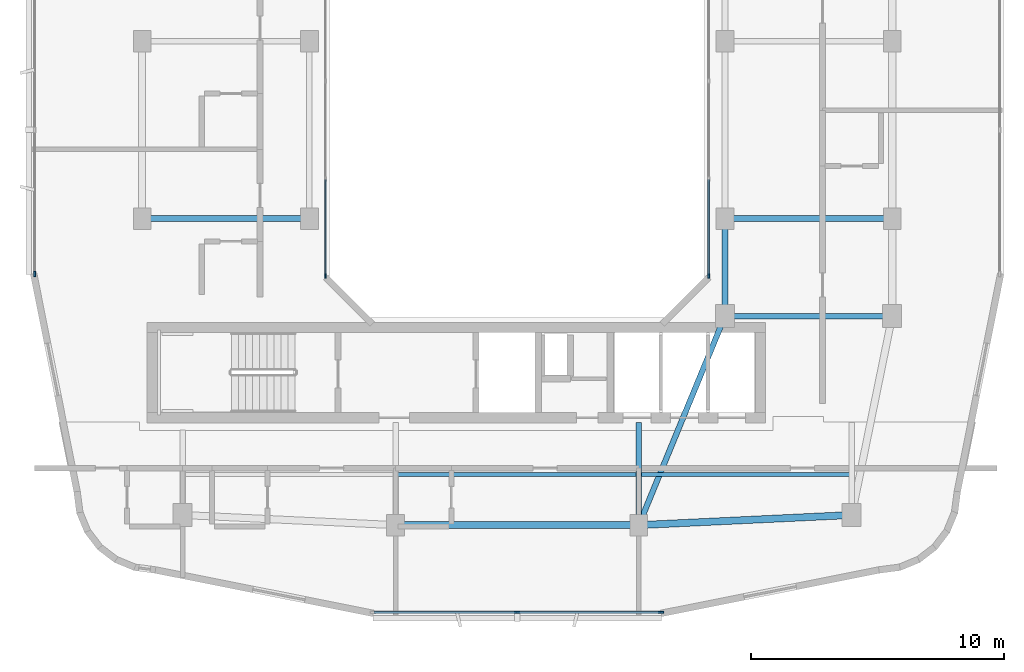
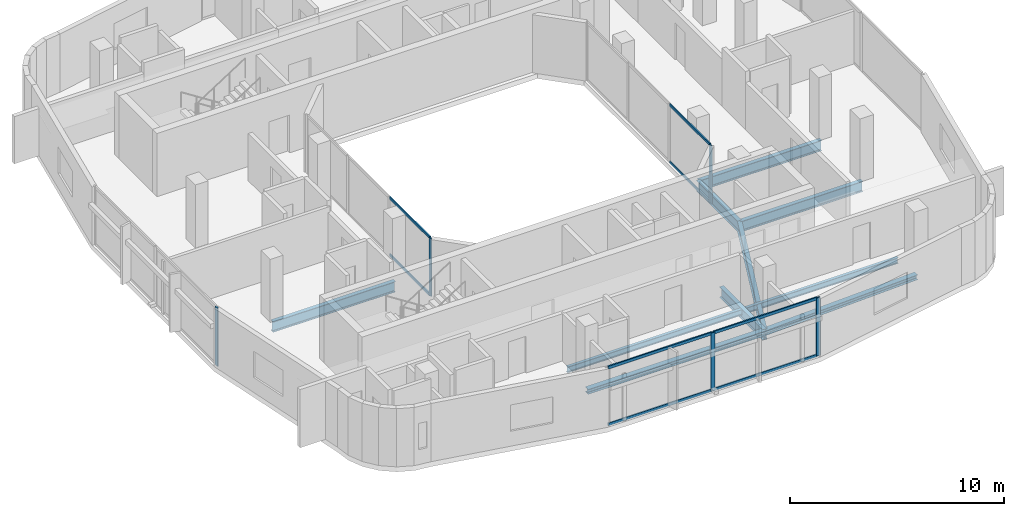
# One storey, part 2 of 14: 13 members, 10 beams, 4 elements without a shape of their own.
"""IFC4 building model written with IfcOpenShell, lengths in metres."""

from ifc_helpers import new_model, si_unit, derived_unit, direction, frame, origin, origin_2d, place, context, subcontext, project, spatial, rectangle, i_section, extrude, material, layer, layer_set, material_profile, profile_set, type_object, element, aggregate, save


model = new_model("IFC4")

# Units and contexts
model_context = context("Model", 3, precision=1e-05, world=origin(), true_north=direction((0.0, 1.0)))
body_context = subcontext(model_context, "Body", "Model", "MODEL_VIEW")
ifc_project = project(units=[si_unit("LENGTHUNIT", "METRE"), si_unit("AREAUNIT", "SQUARE_METRE"), si_unit("VOLUMEUNIT", "CUBIC_METRE"), si_unit("PLANEANGLEUNIT", "RADIAN"), si_unit("MASSUNIT", "GRAM", prefix="KILO"), derived_unit("THERMALTRANSMITTANCEUNIT", [(si_unit("POWERUNIT", "WATT"), 1), (si_unit("LENGTHUNIT", "METRE"), -2), (si_unit("THERMODYNAMICTEMPERATUREUNIT", "KELVIN"), -1)])], contexts=[model_context])

# Site, building, storey
site_placement = place(None, origin())
site = spatial("IfcSite", under=ifc_project, at=site_placement, CompositionType="ELEMENT")
building_placement = place(site_placement, origin())
building = spatial("IfcBuilding", under=site, at=building_placement, Name="Kivonza Crest Hotel", CompositionType="ELEMENT")
storey_placement = place(building_placement, frame((0.0, 0.0, 217.10009765625)))
storey = spatial("IfcBuildingStorey", under=building, at=storey_placement, Name="L59", CompositionType="ELEMENT", Elevation=217.10009765625)

# Beams
ifc_material_1 = material(Name="Steel S355", Category="steel")
ifc_material_profile_1 = material_profile(ifc_material_1, i_section(OverallWidth=0.280029296875, OverallDepth=0.280029296875, WebThickness=0.010498046875, FlangeThickness=0.01806640625, FilletRadius=0.02392578125, at=origin_2d()), Name="HEB 280")
ifc_profile_set_1 = profile_set([ifc_material_profile_1], Name="Steel S355")
beam_type_1 = type_object("IfcBeamType", Name="BM-HEB280", PredefinedType="SPANDREL", material=ifc_profile_set_1)
beam_1_placement = place(storey_placement, frame((16.199951171875, 9.39990234375, -0.420166015625), z_axis=(1.0, 0.0, 0.0), x_axis=(0.0, 1.0, 0.0)))
element("IfcBeam", 1, at=beam_1_placement, inside=storey, type_object=beam_type_1, Name="Tower T1 L59 perimeter spandrel S1-S2", PredefinedType="SPANDREL", context=body_context, shape_type="SweptSolid", body=[
    extrude(i_section(OverallWidth=0.280029296875, OverallDepth=0.280029296875, WebThickness=0.010498046875, FlangeThickness=0.01806640625, FilletRadius=0.02392578125, at=origin_2d()), origin(), (0.0, 0.0, 1.0), 9.60009765625),
])
beam_2_placement = place(storey_placement, frame((25.800048828125, 9.39990234375, -0.420166015625), z_axis=(0.998867283688, 0.047583080799, 0.0), x_axis=(-0.047583080799, 0.998867283688, 0.0)))
element("IfcBeam", 2, at=beam_2_placement, inside=storey, type_object=beam_type_1, Name="Tower T1 L59 perimeter spandrel S2-SE", PredefinedType="SPANDREL", context=body_context, shape_type="SweptSolid", body=[
    extrude(i_section(OverallWidth=0.280029296875, OverallDepth=0.280029296875, WebThickness=0.010498046875, FlangeThickness=0.01806640625, FilletRadius=0.02392578125, at=origin_2d()), origin(), (0.0, 0.0, 1.0), 8.409423828125),
])
ifc_material_profile_2 = material_profile(ifc_material_1, i_section(OverallWidth=0.159912109375, OverallDepth=0.330078125, WebThickness=0.007568359375, FlangeThickness=0.011474609375, FilletRadius=0.01806640625, at=origin_2d()), Name="IPE 330")
ifc_profile_set_2 = profile_set([ifc_material_profile_2], Name="Steel S355")
beam_type_2 = type_object("IfcBeamType", Name="BM-IPE330", PredefinedType="JOIST", material=ifc_profile_set_2)
beam_3_placement = place(storey_placement, frame((16.280029296875, 11.39990234375, -0.445068359375), z_axis=(1.0, 0.0, 0.0), x_axis=(0.0, 1.0, 0.0)))
element("IfcBeam", 3, at=beam_3_placement, inside=storey, type_object=beam_type_2, Name="Tower T1 L59 South-Mid floor joist", PredefinedType="JOIST", context=body_context, shape_type="SweptSolid", body=[
    extrude(i_section(OverallWidth=0.159912109375, OverallDepth=0.330078125, WebThickness=0.007568359375, FlangeThickness=0.011474609375, FilletRadius=0.01806640625, at=origin_2d()), origin(), (0.0, 0.0, 1.0), 9.43994140625),
])
beam_4_placement = place(storey_placement, frame((25.8798828125, 11.39990234375, -0.445068359375), z_axis=(1.0, 0.0, 0.0), x_axis=(0.0, 1.0, 0.0)))
element("IfcBeam", 4, at=beam_4_placement, inside=storey, type_object=beam_type_2, Name="Tower T1 L59 South-East floor joist", PredefinedType="JOIST", context=body_context, shape_type="SweptSolid", body=[
    extrude(i_section(OverallWidth=0.159912109375, OverallDepth=0.330078125, WebThickness=0.007568359375, FlangeThickness=0.011474609375, FilletRadius=0.01806640625, at=origin_2d()), origin(), (0.0, 0.0, 1.0), 8.240234375),
])
ifc_material_profile_3 = material_profile(ifc_material_1, i_section(OverallWidth=0.219970703125, OverallDepth=0.60009765625, WebThickness=0.011962890625, FlangeThickness=0.01904296875, FilletRadius=0.02392578125, at=origin_2d()), Name="IPE 600")
ifc_profile_set_3 = profile_set([ifc_material_profile_3], Name="Steel S355")
beam_type_3 = type_object("IfcBeamType", Name="BM-IPE600", PredefinedType="BEAM", material=ifc_profile_set_3)
beam_5_placement = place(storey_placement, frame((6.199951171875, 21.5, -0.580078125), z_axis=(1.0, 0.0, 0.0), x_axis=(0.0, 1.0, 0.0)))
element("IfcBeam", 5, at=beam_5_placement, inside=storey, type_object=beam_type_3, Name="Tower T1 L59 primary girder W1-WL1", PredefinedType="BEAM", context=body_context, shape_type="SweptSolid", body=[
    extrude(i_section(OverallWidth=0.219970703125, OverallDepth=0.60009765625, WebThickness=0.011962890625, FlangeThickness=0.01904296875, FilletRadius=0.02392578125, at=origin_2d()), origin(), (0.0, 0.0, 1.0), 6.60009765625),
])
beam_6_placement = place(storey_placement, frame((25.800048828125, 9.39990234375, -0.580078125), z_axis=(0.381022260404, 0.924565864109, 0.0), x_axis=(-0.924565864109, 0.381022260404, 0.0)))
element("IfcBeam", 6, at=beam_6_placement, inside=storey, type_object=beam_type_3, Name="Tower T1 L59 primary girder S1-TSE", PredefinedType="BEAM", context=body_context, shape_type="SweptSolid", body=[
    extrude(i_section(OverallWidth=0.219970703125, OverallDepth=0.60009765625, WebThickness=0.011962890625, FlangeThickness=0.01904296875, FilletRadius=0.02392578125, at=origin_2d()), origin(), (0.0, 0.0, 1.0), 8.923095703125),
])
beam_7_placement = place(storey_placement, frame((29.199951171875, 17.64990234375, -0.580078125), z_axis=(1.0, 0.0, 0.0), x_axis=(0.0, 1.0, 0.0)))
element("IfcBeam", 7, at=beam_7_placement, inside=storey, type_object=beam_type_3, Name="Tower T1 L59 primary girder TSE-PSE", PredefinedType="BEAM", context=body_context, shape_type="SweptSolid", body=[
    extrude(i_section(OverallWidth=0.219970703125, OverallDepth=0.60009765625, WebThickness=0.011962890625, FlangeThickness=0.01904296875, FilletRadius=0.02392578125, at=origin_2d()), origin(), (0.0, 0.0, 1.0), 6.60009765625),
])
beam_8_placement = place(storey_placement, frame((29.199951171875, 17.64990234375, -0.580078125), z_axis=(0.0, 1.0, 0.0), x_axis=(-1.0, 0.0, 0.0)))
element("IfcBeam", 8, at=beam_8_placement, inside=storey, type_object=beam_type_3, Name="Tower T1 L59 primary girder TSE-WR1", PredefinedType="BEAM", context=body_context, shape_type="SweptSolid", body=[
    extrude(i_section(OverallWidth=0.219970703125, OverallDepth=0.60009765625, WebThickness=0.011962890625, FlangeThickness=0.01904296875, FilletRadius=0.02392578125, at=origin_2d()), origin(), (0.0, 0.0, 1.0), 3.85009765625),
])
beam_9_placement = place(storey_placement, frame((29.199951171875, 21.5, -0.580078125), z_axis=(1.0, 0.0, 0.0), x_axis=(0.0, 1.0, 0.0)))
element("IfcBeam", 9, at=beam_9_placement, inside=storey, type_object=beam_type_3, Name="Tower T1 L59 primary girder WR1-E1", PredefinedType="BEAM", context=body_context, shape_type="SweptSolid", body=[
    extrude(i_section(OverallWidth=0.219970703125, OverallDepth=0.60009765625, WebThickness=0.011962890625, FlangeThickness=0.01904296875, FilletRadius=0.02392578125, at=origin_2d()), origin(), (0.0, 0.0, 1.0), 6.60009765625),
])
beam_10_placement = place(storey_placement, frame((25.800048828125, 9.39990234375, -0.580078125), z_axis=(0.0, 1.0, 0.0), x_axis=(-1.0, 0.0, 0.0)))
element("IfcBeam", 10, at=beam_10_placement, inside=storey, type_object=beam_type_3, Name="Tower T1 L59 radial core girder RS2", PredefinedType="BEAM", context=body_context, shape_type="SweptSolid", body=[
    extrude(i_section(OverallWidth=0.219970703125, OverallDepth=0.60009765625, WebThickness=0.011962890625, FlangeThickness=0.01904296875, FilletRadius=0.02392578125, at=origin_2d()), origin(), (0.0, 0.0, 1.0), 4.050048828125),
])

# Curtain wall, member
ifc_material_2 = material(Name="Anodised bronze aluminium and low-E double glazing", Category="aluminium")
ifc_layer_1 = layer(ifc_material_2, 0.159912109375)
ifc_layer_set_1 = layer_set([ifc_layer_1], Name="Anodised bronze aluminium and low-E double glazing")
curtain_wall_type_1 = type_object("IfcCurtainWallType", Name="CW-SYS-5", PredefinedType="NOTDEFINED", material=ifc_layer_set_1)
curtain_wall_1_placement = place(storey_placement, origin())
curtain_wall_1 = element("IfcCurtainWall", 11, at=curtain_wall_1_placement, inside=storey, type_object=curtain_wall_type_1, Name="L59 unitised curtain wall CW-WELL-T1-L59-3", PredefinedType="NOTDEFINED")
ifc_material_3 = material(Name="Anodised bronze aluminium", Category="aluminium")
ifc_material_profile_4 = material_profile(ifc_material_3, rectangle(XDim=0.06494140625, YDim=0.179931640625, at=origin_2d()), Name="CW-M 65x180")
ifc_profile_set_4 = profile_set([ifc_material_profile_4], Name="Anodised bronze aluminium")
member_type_1 = type_object("IfcMemberType", Name="CW-MUL-65x180", PredefinedType="MULLION", material=ifc_profile_set_4)
member_1_placement = place(storey_placement, frame((28.56005859375, 19.232421875, 0.0), z_axis=(0.0, 0.0, 1.0), x_axis=(-1.0, 0.0, 0.0)))
member_1 = element("IfcMember", 12, at=member_1_placement, type_object=member_type_1, Name="CW-5 mullion 1", PredefinedType="MULLION", context=body_context, shape_type="SweptSolid", body=[
    extrude(rectangle(XDim=0.06494140625, YDim=0.179931640625, at=origin_2d()), origin(), (0.0, 0.0, 1.0), 3.31982421875),
])

curtain_wall_2_placement = place(storey_placement, origin())
curtain_wall_2 = element("IfcCurtainWall", 13, at=curtain_wall_2_placement, inside=storey, type_object=curtain_wall_type_1, Name="L59 unitised curtain wall CW-WELL-T1-L59-7", PredefinedType="NOTDEFINED")
member_2_placement = place(storey_placement, frame((13.43994140625, 19.232421875, 0.0), z_axis=(0.0, 0.0, 1.0), x_axis=(1.0, 0.0, 0.0)))
member_2 = element("IfcMember", 14, at=member_2_placement, type_object=member_type_1, Name="CW-5 mullion 4", PredefinedType="MULLION", context=body_context, shape_type="SweptSolid", body=[
    extrude(rectangle(XDim=0.06494140625, YDim=0.179931640625, at=origin_2d()), origin(), (0.0, 0.0, 1.0), 3.31982421875),
])

# Curtain wall, members
ifc_layer_2 = layer(ifc_material_2, 0.179931640625)
ifc_layer_set_2 = layer_set([ifc_layer_2], Name="Anodised bronze aluminium and low-E double glazing")
curtain_wall_type_2 = type_object("IfcCurtainWallType", Name="CW-SYS-3", PredefinedType="NOTDEFINED", material=ifc_layer_set_2)
curtain_wall_3_placement = place(storey_placement, origin())
curtain_wall_3 = element("IfcCurtainWall", 15, at=curtain_wall_3_placement, inside=storey, type_object=curtain_wall_type_2, Name="L59 unitised curtain wall CW-T1-L59-08", PredefinedType="NOTDEFINED")
ifc_material_profile_5 = material_profile(ifc_material_3, rectangle(XDim=0.074951171875, YDim=0.219970703125, at=origin_2d()), Name="CW-M 75x220")
ifc_profile_set_5 = profile_set([ifc_material_profile_5], Name="Anodised bronze aluminium")
member_type_2 = type_object("IfcMemberType", Name="CW-MUL-75x220", PredefinedType="MULLION", material=ifc_profile_set_5)
member_3_placement = place(storey_placement, frame((21.0, 5.9599609375, 0.0), z_axis=(0.0, 0.0, 1.0), x_axis=(0.0, 1.0, 0.0)))
member_3 = element("IfcMember", 16, at=member_3_placement, type_object=member_type_2, Name="CW-3 mullion 2", PredefinedType="MULLION", context=body_context, shape_type="SweptSolid", body=[
    extrude(rectangle(XDim=0.074951171875, YDim=0.219970703125, at=origin_2d()), origin(), (0.0, 0.0, 1.0), 3.31982421875),
])
member_4_placement = place(storey_placement, frame((26.6826171875, 5.9599609375, 0.0), z_axis=(0.0, 0.0, 1.0), x_axis=(0.0, 1.0, 0.0)))
member_4 = element("IfcMember", 17, at=member_4_placement, type_object=member_type_2, Name="CW-3 mullion 3", PredefinedType="MULLION", context=body_context, shape_type="SweptSolid", body=[
    extrude(rectangle(XDim=0.074951171875, YDim=0.219970703125, at=origin_2d()), origin(), (0.0, 0.0, 1.0), 3.31982421875),
])

# Curtain wall, member
curtain_wall_4_placement = place(storey_placement, origin())
curtain_wall_4 = element("IfcCurtainWall", 18, at=curtain_wall_4_placement, inside=storey, type_object=curtain_wall_type_2, Name="L59 unitised curtain wall CW-T1-L59-35", PredefinedType="NOTDEFINED")
member_5_placement = place(storey_placement, frame((1.9599609375, 19.3173828125, 0.0), z_axis=(0.0, 0.0, 1.0), x_axis=(1.0, 0.0, 0.0)))
member_5 = element("IfcMember", 19, at=member_5_placement, type_object=member_type_2, Name="CW-3 mullion 3", PredefinedType="MULLION", context=body_context, shape_type="SweptSolid", body=[
    extrude(rectangle(XDim=0.074951171875, YDim=0.219970703125, at=origin_2d()), origin(), (0.0, 0.0, 1.0), 3.31982421875),
])
aggregate(curtain_wall_4, [member_5])

# Member
ifc_material_profile_6 = material_profile(ifc_material_3, rectangle(XDim=0.06494140625, YDim=0.139892578125, at=origin_2d()), Name="CW-T 65x140")
ifc_profile_set_6 = profile_set([ifc_material_profile_6], Name="Anodised bronze aluminium")
member_type_3 = type_object("IfcMemberType", Name="CW-TRN-65x140", PredefinedType="USERDEFINED", material=ifc_profile_set_6)
member_6_placement = place(storey_placement, frame((28.56005859375, 19.264892578125, 0.032470703125), z_axis=(0.0, 1.0, 0.0), x_axis=(-1.0, 0.0, 0.0)))
member_6 = element("IfcMember", 20, at=member_6_placement, type_object=member_type_3, Name="CW-5 transom 1.1", ObjectType="TRANSOM", PredefinedType="USERDEFINED", context=body_context, shape_type="SweptSolid", body=[
    extrude(rectangle(XDim=0.06494140625, YDim=0.139892578125, at=origin_2d()), origin(), (0.0, 0.0, 1.0), 3.769287109375),
])

member_7_placement = place(storey_placement, frame((28.56005859375, 19.264892578125, 3.287353515625), z_axis=(0.0, 1.0, 0.0), x_axis=(-1.0, 0.0, 0.0)))
member_7 = element("IfcMember", 21, at=member_7_placement, type_object=member_type_3, Name="CW-5 transom 1.2", ObjectType="TRANSOM", PredefinedType="USERDEFINED", context=body_context, shape_type="SweptSolid", body=[
    extrude(rectangle(XDim=0.06494140625, YDim=0.139892578125, at=origin_2d()), origin(), (0.0, 0.0, 1.0), 3.769287109375),
])

aggregate(curtain_wall_1, [member_1, member_6, member_7])

member_8_placement = place(storey_placement, frame((13.43994140625, 23.0341796875, 0.032470703125), z_axis=(0.0, -1.0, 0.0), x_axis=(1.0, 0.0, 0.0)))
member_8 = element("IfcMember", 22, at=member_8_placement, type_object=member_type_3, Name="CW-5 transom 3.1", ObjectType="TRANSOM", PredefinedType="USERDEFINED", context=body_context, shape_type="SweptSolid", body=[
    extrude(rectangle(XDim=0.06494140625, YDim=0.139892578125, at=origin_2d()), origin(), (0.0, 0.0, 1.0), 3.769287109375),
])

member_9_placement = place(storey_placement, frame((13.43994140625, 23.0341796875, 3.287353515625), z_axis=(0.0, -1.0, 0.0), x_axis=(1.0, 0.0, 0.0)))
member_9 = element("IfcMember", 23, at=member_9_placement, type_object=member_type_3, Name="CW-5 transom 3.2", ObjectType="TRANSOM", PredefinedType="USERDEFINED", context=body_context, shape_type="SweptSolid", body=[
    extrude(rectangle(XDim=0.06494140625, YDim=0.139892578125, at=origin_2d()), origin(), (0.0, 0.0, 1.0), 3.769287109375),
])

aggregate(curtain_wall_2, [member_2, member_8, member_9])

ifc_material_profile_7 = material_profile(ifc_material_3, rectangle(XDim=0.074951171875, YDim=0.159912109375, at=origin_2d()), Name="CW-T 75x160")
ifc_profile_set_7 = profile_set([ifc_material_profile_7], Name="Anodised bronze aluminium")
member_type_4 = type_object("IfcMemberType", Name="CW-TRN-75x160", PredefinedType="USERDEFINED", material=ifc_profile_set_7)
member_10_placement = place(storey_placement, frame((15.35498046875, 5.9599609375, 0.037353515625), z_axis=(1.0, 0.0, 0.0), x_axis=(0.0, 1.0, 0.0)))
member_10 = element("IfcMember", 24, at=member_10_placement, type_object=member_type_4, Name="CW-3 transom 1.1", ObjectType="TRANSOM", PredefinedType="USERDEFINED", context=body_context, shape_type="SweptSolid", body=[
    extrude(rectangle(XDim=0.074951171875, YDim=0.159912109375, at=origin_2d()), origin(), (0.0, 0.0, 1.0), 5.607421875),
])

member_11_placement = place(storey_placement, frame((15.35498046875, 5.9599609375, 3.282470703125), z_axis=(1.0, 0.0, 0.0), x_axis=(0.0, 1.0, 0.0)))
member_11 = element("IfcMember", 25, at=member_11_placement, type_object=member_type_4, Name="CW-3 transom 1.2", ObjectType="TRANSOM", PredefinedType="USERDEFINED", context=body_context, shape_type="SweptSolid", body=[
    extrude(rectangle(XDim=0.074951171875, YDim=0.159912109375, at=origin_2d()), origin(), (0.0, 0.0, 1.0), 5.607421875),
])

member_12_placement = place(storey_placement, frame((21.03759765625, 5.9599609375, 0.037353515625), z_axis=(1.0, 0.0, 0.0), x_axis=(0.0, 1.0, 0.0)))
member_12 = element("IfcMember", 26, at=member_12_placement, type_object=member_type_4, Name="CW-3 transom 2.1", ObjectType="TRANSOM", PredefinedType="USERDEFINED", context=body_context, shape_type="SweptSolid", body=[
    extrude(rectangle(XDim=0.074951171875, YDim=0.159912109375, at=origin_2d()), origin(), (0.0, 0.0, 1.0), 5.607421875),
])

member_13_placement = place(storey_placement, frame((21.03759765625, 5.9599609375, 3.282470703125), z_axis=(1.0, 0.0, 0.0), x_axis=(0.0, 1.0, 0.0)))
member_13 = element("IfcMember", 27, at=member_13_placement, type_object=member_type_4, Name="CW-3 transom 2.2", ObjectType="TRANSOM", PredefinedType="USERDEFINED", context=body_context, shape_type="SweptSolid", body=[
    extrude(rectangle(XDim=0.074951171875, YDim=0.159912109375, at=origin_2d()), origin(), (0.0, 0.0, 1.0), 5.607421875),
])

aggregate(curtain_wall_3, [member_3, member_4, member_10, member_11, member_12, member_13])

save(model, "model.ifc")
